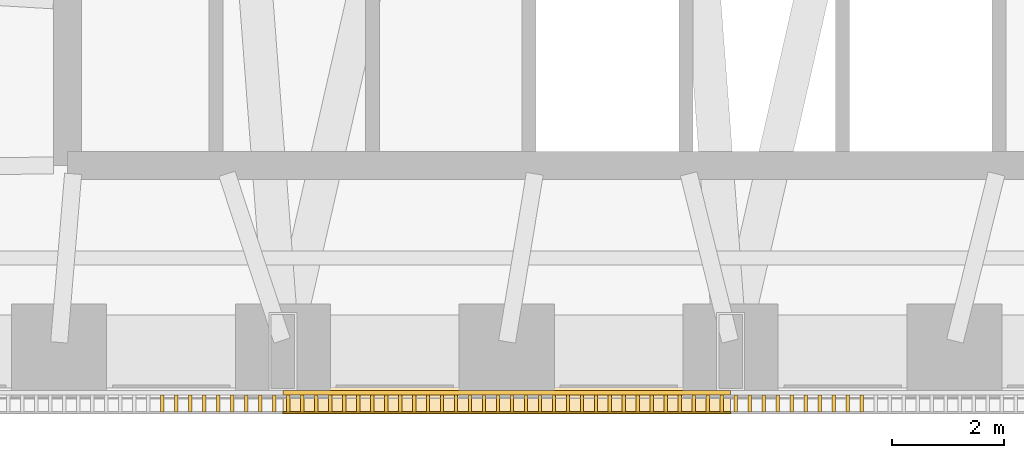
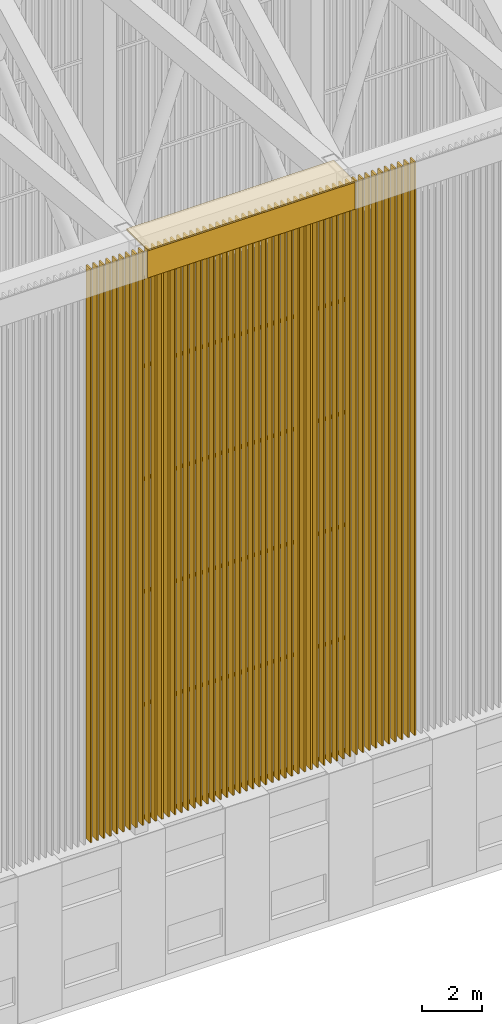
# One storey, part 9 of 15: 57 shading devices, 2 coverings.
"""IFC4 building model written with IfcOpenShell, lengths in metres."""

from ifc_helpers import new_model, si_unit, direction, frame, origin, origin_2d, place, context, subcontext, project, spatial, polyline, rectangle, outline, extrude, material, layer, layer_set, material_profile, profile_set, type_object, element, save


model = new_model("IFC4")

# Units and contexts
model_context = context("Model", 3, precision=1e-05, world=origin(), true_north=direction((0.0, 1.0)))
body_context = subcontext(model_context, "Body", "Model", "MODEL_VIEW")
ifc_project = project(units=[si_unit("LENGTHUNIT", "METRE"), si_unit("AREAUNIT", "SQUARE_METRE"), si_unit("VOLUMEUNIT", "CUBIC_METRE"), si_unit("PLANEANGLEUNIT", "RADIAN"), si_unit("MASSUNIT", "GRAM", prefix="KILO")], contexts=[model_context])

# Site, building, storey
site_placement = place(None, origin())
site = spatial("IfcSite", under=ifc_project, at=site_placement, CompositionType="ELEMENT")
building_placement = place(site_placement, origin())
building = spatial("IfcBuilding", under=site, at=building_placement, Name="Isbrekke Arena Tower", CompositionType="ELEMENT")
storey_placement = place(building_placement, frame((0.0, 0.0, 324.0)))
storey = spatial("IfcBuildingStorey", under=building, at=storey_placement, Name="L76", CompositionType="ELEMENT", Elevation=324.0)

# Shading devices
ifc_material_1 = material(Name="Pre-patinated copper on aluminium core", Category="aluminium")
ifc_material_profile = material_profile(ifc_material_1, rectangle(XDim=0.06005859375, YDim=0.300048828125, at=origin_2d()), Name="FIN 60X300")
ifc_profile_set = profile_set([ifc_material_profile], Name="Pre-patinated copper on aluminium core")
shading_device_type_1 = type_object("IfcShadingDeviceType", Name="CR1 CROWN FIN 60 x 300", PredefinedType="USERDEFINED", material=ifc_profile_set)
for number, where, z_axis, x_axis, name in (
    (1, (-12.156982421875, 1.89501953125, 6.60009765625), (0.0, 0.0, 1.0), (1.0, 0.0, 0.0), "CR1 crown fin A57"),
    (2, (-11.906982421875, 1.89501953125, 6.60009765625), (0.0, 0.0, 1.0), (1.0, 0.0, 0.0), "CR1 crown fin A58"),
    (3, (-11.656982421875, 1.89501953125, 6.60009765625), (0.0, 0.0, 1.0), (1.0, 0.0, 0.0), "CR1 crown fin A59"),
    (4, (-11.406982421875, 1.89501953125, 6.60009765625), (0.0, 0.0, 1.0), (1.0, 0.0, 0.0), "CR1 crown fin A60"),
    (5, (-11.156982421875, 1.89501953125, 6.60009765625), (0.0, 0.0, 1.0), (1.0, 0.0, 0.0), "CR1 crown fin A61"),
    (6, (-10.906982421875, 1.89501953125, 6.60009765625), (0.0, 0.0, 1.0), (1.0, 0.0, 0.0), "CR1 crown fin A62"),
    (7, (-10.656982421875, 1.89501953125, 6.60009765625), (0.0, 0.0, 1.0), (1.0, 0.0, 0.0), "CR1 crown fin A63"),
    (8, (-10.406982421875, 1.89501953125, 6.60009765625), (0.0, 0.0, 1.0), (1.0, 0.0, 0.0), "CR1 crown fin A64"),
    (9, (-10.156982421875, 1.89501953125, 6.60009765625), (0.0, 0.0, 1.0), (1.0, 0.0, 0.0), "CR1 crown fin A65"),
    (10, (-9.906982421875, 1.89501953125, 6.60009765625), (0.0, 0.0, 1.0), (1.0, 0.0, 0.0), "CR1 crown fin A66"),
    (11, (-9.656982421875, 1.89501953125, 6.60009765625), (0.0, 0.0, 1.0), (1.0, 0.0, 0.0), "CR1 crown fin A67"),
    (12, (-9.406982421875, 1.89501953125, 6.60009765625), (0.0, 0.0, 1.0), (1.0, 0.0, 0.0), "CR1 crown fin A68"),
    (13, (-9.156982421875, 1.89501953125, 6.60009765625), (0.0, 0.0, 1.0), (1.0, 0.0, 0.0), "CR1 crown fin A69"),
    (14, (-8.906982421875, 1.89501953125, 6.60009765625), (0.0, 0.0, 1.0), (1.0, 0.0, 0.0), "CR1 crown fin A70"),
    (15, (-8.656982421875, 1.89501953125, 6.60009765625), (0.0, 0.0, 1.0), (1.0, 0.0, 0.0), "CR1 crown fin A71"),
    (16, (-8.406982421875, 1.89501953125, 6.60009765625), (0.0, 0.0, 1.0), (1.0, 0.0, 0.0), "CR1 crown fin A72"),
    (17, (-8.156982421875, 1.89501953125, 6.60009765625), (0.0, 0.0, 1.0), (1.0, 0.0, 0.0), "CR1 crown fin A73"),
    (18, (-7.906982421875, 1.89501953125, 6.60009765625), (0.0, 0.0, 1.0), (1.0, 0.0, 0.0), "CR1 crown fin A74"),
    (19, (-7.656982421875, 1.89501953125, 6.60009765625), (0.0, 0.0, 1.0), (1.0, 0.0, 0.0), "CR1 crown fin A75"),
    (20, (-7.406982421875, 1.89501953125, 6.60009765625), (0.0, 0.0, 1.0), (1.0, 0.0, 0.0), "CR1 crown fin A76"),
    (21, (-7.156982421875, 1.89501953125, 6.60009765625), (0.0, 0.0, 1.0), (1.0, 0.0, 0.0), "CR1 crown fin A77"),
    (22, (-6.906982421875, 1.89501953125, 6.60009765625), (0.0, 0.0, 1.0), (1.0, 0.0, 0.0), "CR1 crown fin A78"),
    (23, (-6.656982421875, 1.89501953125, 6.60009765625), (0.0, 0.0, 1.0), (1.0, 0.0, 0.0), "CR1 crown fin A79"),
    (24, (-6.406982421875, 1.89501953125, 6.60009765625), (0.0, 0.0, 1.0), (1.0, 0.0, 0.0), "CR1 crown fin A80"),
    (25, (-6.156982421875, 1.89501953125, 6.60009765625), (0.0, 0.0, 1.0), (1.0, 0.0, 0.0), "CR1 crown fin A81"),
    (26, (-5.906982421875, 1.89501953125, 6.60009765625), (0.0, 0.0, 1.0), (1.0, 0.0, 0.0), "CR1 crown fin A82"),
    (27, (-5.656982421875, 1.89501953125, 6.60009765625), (0.0, 0.0, 1.0), (1.0, 0.0, 0.0), "CR1 crown fin A83"),
    (28, (-5.406982421875, 1.89501953125, 6.60009765625), (0.0, 0.0, 1.0), (1.0, 0.0, 0.0), "CR1 crown fin A84"),
    (29, (-5.156982421875, 1.89501953125, 6.60009765625), (0.0, 0.0, 1.0), (1.0, 0.0, 0.0), "CR1 crown fin A85"),
    (30, (-4.906982421875, 1.89501953125, 6.60009765625), (0.0, 0.0, 1.0), (1.0, 0.0, 0.0), "CR1 crown fin A86"),
    (31, (-4.656982421875, 1.89501953125, 6.60009765625), (0.0, 0.0, 1.0), (1.0, 0.0, 0.0), "CR1 crown fin A87"),
    (32, (-4.406982421875, 1.89501953125, 6.60009765625), (0.0, 0.0, 1.0), (1.0, 0.0, 0.0), "CR1 crown fin A88"),
    (33, (-4.156982421875, 1.89501953125, 6.60009765625), (0.0, 0.0, 1.0), (1.0, 0.0, 0.0), "CR1 crown fin A89"),
    (34, (-3.906982421875, 1.89501953125, 6.60009765625), (0.0, 0.0, 1.0), (1.0, 0.0, 0.0), "CR1 crown fin A90"),
    (35, (-3.656982421875, 1.89501953125, 6.60009765625), (0.0, 0.0, 1.0), (1.0, 0.0, 0.0), "CR1 crown fin A91"),
    (36, (-3.406982421875, 1.89501953125, 6.60009765625), (0.0, 0.0, 1.0), (1.0, 0.0, 0.0), "CR1 crown fin A92"),
    (37, (-3.156982421875, 1.89501953125, 6.60009765625), (0.0, 0.0, 1.0), (1.0, 0.0, 0.0), "CR1 crown fin A93"),
    (38, (-2.906982421875, 1.89501953125, 6.60009765625), (0.0, 0.0, 1.0), (1.0, 0.0, 0.0), "CR1 crown fin A94"),
    (39, (-2.656982421875, 1.89501953125, 6.60009765625), (0.0, 0.0, 1.0), (1.0, 0.0, 0.0), "CR1 crown fin A95"),
    (40, (-2.406982421875, 1.89501953125, 6.60009765625), (0.0, 0.0, 1.0), (1.0, 0.0, 0.0), "CR1 crown fin A96"),
    (41, (-2.156982421875, 1.89501953125, 6.60009765625), (0.0, 0.0, 1.0), (1.0, 0.0, 0.0), "CR1 crown fin A97"),
    (42, (-1.906982421875, 1.89501953125, 6.60009765625), (0.0, 0.0, 1.0), (1.0, 0.0, 0.0), "CR1 crown fin A98"),
    (43, (-1.656982421875, 1.89501953125, 6.60009765625), (0.0, 0.0, 1.0), (1.0, 0.0, 0.0), "CR1 crown fin A99"),
    (44, (-1.406982421875, 1.89501953125, 6.60009765625), (0.0, 0.0, 1.0), (1.0, 0.0, 0.0), "CR1 crown fin A100"),
    (45, (-1.156982421875, 1.89501953125, 6.60009765625), (0.0, 0.0, 1.0), (1.0, 0.0, 0.0), "CR1 crown fin A101"),
    (46, (-0.906982421875, 1.89501953125, 6.60009765625), (0.0, 0.0, 1.0), (1.0, 0.0, 0.0), "CR1 crown fin A102"),
    (47, (-0.656982421875, 1.89501953125, 6.60009765625), (0.0, 0.0, 1.0), (1.0, 0.0, 0.0), "CR1 crown fin A103"),
    (48, (-0.406982421875, 1.89501953125, 6.60009765625), (0.0, 0.0, 1.0), (1.0, 0.0, 0.0), "CR1 crown fin A104"),
    (49, (-0.156982421875, 1.89501953125, 6.60009765625), (0.0, 0.0, 1.0), (1.0, 0.0, 0.0), "CR1 crown fin A105"),
    (50, (0.093017578125, 1.89501953125, 6.60009765625), (0.0, 0.0, 1.0), (1.0, 0.0, 0.0), "CR1 crown fin A106"),
    (51, (0.343017578125, 1.89501953125, 6.60009765625), (0.0, 0.0, 1.0), (1.0, 0.0, 0.0), "CR1 crown fin A107"),
):
    element("IfcShadingDevice", number, at=place(storey_placement, frame(where, z_axis=z_axis, x_axis=x_axis)), inside=storey, type_object=shading_device_type_1, Name=name, ObjectType="CROWN FIN", PredefinedType="USERDEFINED", context=body_context, shape_type="SweptSolid", body=[
        extrude(rectangle(XDim=0.06005859375, YDim=0.300048828125, at=origin_2d()), origin(), (0.0, 0.0, 1.0), 23.39990234375),
    ])
ifc_material_2 = material(Name="Galvanised steel RHS 120 x 80 x 5", Category="steel")
shading_device_type_2 = type_object("IfcShadingDeviceType", Name="CR2 CROWN SCREEN RAIL RHS 120 x 80", PredefinedType="USERDEFINED", material=ifc_material_2)
shading_device_1_placement = place(storey_placement, frame((0.0, 0.0, 6.60009765625)))
element("IfcShadingDevice", 52, at=shading_device_1_placement, inside=storey, type_object=shading_device_type_2, Name="CR2 crown screen rail 1 bay A3", ObjectType="CROWN SCREEN RAIL", PredefinedType="USERDEFINED", context=body_context, shape_type="SweptSolid", body=[
    extrude(outline(polyline([(-10.0, 2.125), (-2.0, 2.125), (-2.0, 2.044921875), (-10.0, 2.044921875), (-10.0, 2.125)])), origin(), (0.0, 0.0, 1.0), 0.119873046875),
])
shading_device_2_placement = place(storey_placement, frame((0.0, 0.0, 11.199951171875)))
element("IfcShadingDevice", 53, at=shading_device_2_placement, inside=storey, type_object=shading_device_type_2, Name="CR2 crown screen rail 2 bay A3", ObjectType="CROWN SCREEN RAIL", PredefinedType="USERDEFINED", context=body_context, shape_type="SweptSolid", body=[
    extrude(outline(polyline([(-10.0, 2.125), (-2.0, 2.125), (-2.0, 2.044921875), (-10.0, 2.044921875), (-10.0, 2.125)])), origin(), (0.0, 0.0, 1.0), 0.1201171875),
])
shading_device_3_placement = place(storey_placement, frame((0.0, 0.0, 15.800048828125)))
element("IfcShadingDevice", 54, at=shading_device_3_placement, inside=storey, type_object=shading_device_type_2, Name="CR2 crown screen rail 3 bay A3", ObjectType="CROWN SCREEN RAIL", PredefinedType="USERDEFINED", context=body_context, shape_type="SweptSolid", body=[
    extrude(outline(polyline([(-10.0, 2.125), (-2.0, 2.125), (-2.0, 2.044921875), (-10.0, 2.044921875), (-10.0, 2.125)])), origin(), (0.0, 0.0, 1.0), 0.119873046875),
])
for number, where, name in (
    (55, (0.0, 0.0, 20.39990234375), "CR2 crown screen rail 4 bay A3"),
    (56, (0.0, 0.0, 25.0), "CR2 crown screen rail 5 bay A3"),
):
    element("IfcShadingDevice", number, at=place(storey_placement, frame(where)), inside=storey, type_object=shading_device_type_2, Name=name, ObjectType="CROWN SCREEN RAIL", PredefinedType="USERDEFINED", context=body_context, shape_type="SweptSolid", body=[
        extrude(outline(polyline([(-10.0, 2.125), (-2.0, 2.125), (-2.0, 2.044921875), (-10.0, 2.044921875), (-10.0, 2.125)])), origin(), (0.0, 0.0, 1.0), 0.1201171875),
    ])
shading_device_4_placement = place(storey_placement, frame((0.0, 0.0, 28.60009765625)))
element("IfcShadingDevice", 57, at=shading_device_4_placement, inside=storey, type_object=shading_device_type_2, Name="CR2 crown screen rail 6 bay A3", ObjectType="CROWN SCREEN RAIL", PredefinedType="USERDEFINED", context=body_context, shape_type="SweptSolid", body=[
    extrude(outline(polyline([(-10.0, 2.125), (-2.0, 2.125), (-2.0, 2.044921875), (-10.0, 2.044921875), (-10.0, 2.125)])), origin(), (0.0, 0.0, 1.0), 0.119873046875),
])

# Coverings
ifc_material_3 = material(Name="Pre-patinated copper sheet on plywood deck", Category="wood")
ifc_layer_1 = layer(ifc_material_3, 0.06005859375)
ifc_layer_set_1 = layer_set([ifc_layer_1], Name="CR3 CROWN CAP COPING")
covering_type_1 = type_object("IfcCoveringType", Name="CR3 CROWN CAP COPING", PredefinedType="CLADDING", material=ifc_layer_set_1)
covering_1_placement = place(storey_placement, frame((0.0, 0.0, 30.0)))
element("IfcCovering", 58, at=covering_1_placement, inside=storey, type_object=covering_type_1, Name="CR3 crown cap coping bay A3", PredefinedType="CLADDING", context=body_context, shape_type="SweptSolid", body=[
    extrude(outline(polyline([(-10.0, 3.125), (-2.0, 3.125), (-2.0, 1.715087890625), (-10.0, 1.715087890625), (-10.0, 3.125)])), origin(), (0.0, 0.0, 1.0), 0.06005859375),
])
ifc_material_4 = material(Name="Pre-patinated copper sheet", Category="metal")
ifc_layer_2 = layer(ifc_material_4, 0.030029296875)
ifc_layer_set_2 = layer_set([ifc_layer_2], Name="CR4 CROWN CAP FASCIA")
covering_type_2 = type_object("IfcCoveringType", Name="CR4 CROWN CAP FASCIA", PredefinedType="CLADDING", material=ifc_layer_set_2)
covering_2_placement = place(storey_placement, frame((0.0, 0.0, 28.89990234375)))
element("IfcCovering", 59, at=covering_2_placement, inside=storey, type_object=covering_type_2, Name="CR4 crown cap fascia bay A3", PredefinedType="CLADDING", context=body_context, shape_type="SweptSolid", body=[
    extrude(outline(polyline([(-10.0, 1.7451171875), (-2.0, 1.7451171875), (-2.0, 1.715087890625), (-10.0, 1.715087890625), (-10.0, 1.7451171875)])), origin(), (0.0, 0.0, 1.0), 1.10009765625),
])

save(model, "model.ifc")
